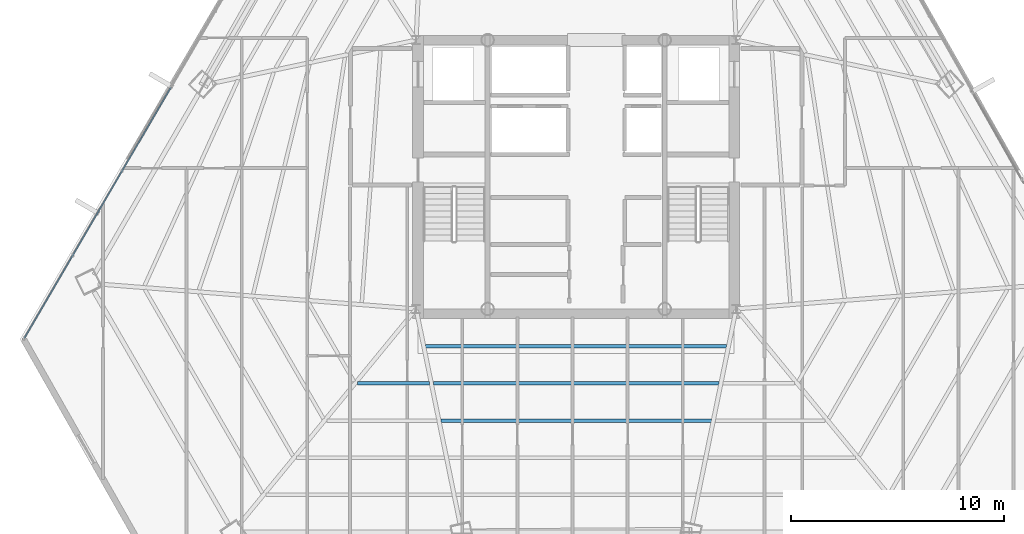
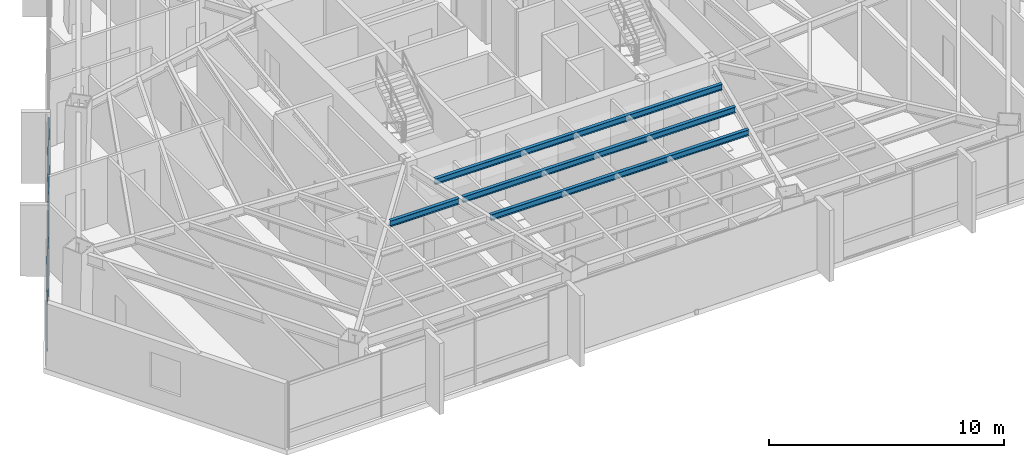
# One storey, part 11 of 42: 4 beams, 2 members, 1 element without a shape of its own.
"""IFC4 building model written with IfcOpenShell, lengths in metres."""

import ifcopenshell
import ifcopenshell.guid

model = None  # the IFC model being written
_history = None  # IfcOwnerHistory: only IFC2X3 demands one
_inside = {}  # id of a spatial element -> (the spatial element, [elements in it])
_under = {}  # id of a project, library or spatial element -> (it, [spatial elements below it])
_declared = {}  # id of a project -> (the project, [libraries it declares])
_typed = {}  # id of a type object -> (the type object, [elements of that type])
_made_of = {}  # id of a material, layer set ... -> (it, [elements and type objects made of it])


def new_model(schema):
    """Start an empty IFC model of exactly this schema.

    Asked for "IFC4X3", IfcOpenShell would pick the latest addendum, in which some entities
    have other attributes; the version numbers below select the first issue.
    IFC2X3 requires an IfcOwnerHistory on every rooted entity: one is made here for all.
    """
    global model, _history
    if schema == "IFC4X3":
        model = ifcopenshell.file(schema_version=(4, 3, 0, 0))
    else:
        model = ifcopenshell.file(schema=schema)
    _inside.clear()
    _under.clear()
    _declared.clear()
    _typed.clear()
    _made_of.clear()
    _history = None
    if model.schema == "IFC2X3":
        org = make("IfcOrganization", Name="unknown")
        user = make(
            "IfcPersonAndOrganization",
            ThePerson=make("IfcPerson", FamilyName="unknown"),
            TheOrganization=org,
        )
        app = make(
            "IfcApplication",
            ApplicationDeveloper=org,
            Version="unknown",
            ApplicationFullName="unknown",
            ApplicationIdentifier="unknown",
        )
        _history = make(
            "IfcOwnerHistory",
            OwningUser=user,
            OwningApplication=app,
            ChangeAction="ADDED",
            CreationDate=0,
        )
    return model


def make(cls, **values):
    """One entity of the class cls with the attributes given. An attribute that is None is left unset."""
    return model.create_entity(
        cls, **{name: value for name, value in values.items() if value is not None}
    )


def rooted(cls, **values):
    """An entity with a GlobalId (a new one), such as an element, a storey or a relation."""
    return make(cls, GlobalId=ifcopenshell.guid.new(), OwnerHistory=_history, **values)


def si_unit(unit_type, name, prefix=None):
    """IfcSIUnit, for example si_unit("LENGTHUNIT", "METRE", prefix="MILLI")."""
    return make("IfcSIUnit", UnitType=unit_type, Prefix=prefix, Name=name)


def assignment(units):
    """IfcUnitAssignment: the units of a project."""
    return None if units is None else make("IfcUnitAssignment", Units=units)


def point(xyz):
    """IfcCartesianPoint."""
    return None if xyz is None else make("IfcCartesianPoint", Coordinates=xyz)


def direction(xyz):
    """IfcDirection."""
    return None if xyz is None else make("IfcDirection", DirectionRatios=xyz)


def frame(location, z_axis=None, x_axis=None):
    """IfcAxis2Placement3D, a coordinate frame: its origin and axes. An axis left out is left unset."""
    return make(
        "IfcAxis2Placement3D",
        Location=point(location),
        Axis=direction(z_axis),
        RefDirection=direction(x_axis),
    )


def frame_2d(location, x_axis=None):
    """IfcAxis2Placement2D, a coordinate frame in the plane: its origin and x axis."""
    return make(
        "IfcAxis2Placement2D", Location=point(location), RefDirection=direction(x_axis)
    )


def origin():
    """The frame at (0, 0, 0) with its axes left unset."""
    return frame((0.0, 0.0, 0.0))


def origin_2d():
    """The frame at (0, 0) in the plane with its x axis left unset."""
    return frame_2d((0.0, 0.0))


def place(relative_to, where):
    """IfcLocalPlacement: puts the frame where relative to a parent placement (None: the world)."""
    return make(
        "IfcLocalPlacement", PlacementRelTo=relative_to, RelativePlacement=where
    )


def context(
    kind, dimensions, precision=None, world=None, true_north=None, identifier=None
):
    """IfcGeometricRepresentationContext, for example the 3D "Model" context."""
    return make(
        "IfcGeometricRepresentationContext",
        ContextIdentifier=identifier,
        ContextType=kind,
        CoordinateSpaceDimension=dimensions,
        Precision=precision,
        WorldCoordinateSystem=world,
        TrueNorth=true_north,
    )


def subcontext(parent, identifier, kind, view, scale=None):
    """IfcGeometricRepresentationSubContext, for example "Body" below "Model"."""
    return make(
        "IfcGeometricRepresentationSubContext",
        ContextIdentifier=identifier,
        ContextType=kind,
        ParentContext=parent,
        TargetScale=scale,
        TargetView=view,
    )


def project(units=None, contexts=None):
    """IfcProject with its units and contexts."""
    return rooted(
        "IfcProject",
        Name="project",
        RepresentationContexts=contexts,
        UnitsInContext=assignment(units),
    )


def spatial(cls, under=None, at=None, **own):
    """A site, building, storey or space (cls), placed at a placement, below another one or the project."""
    s = rooted(cls, ObjectPlacement=at, **own)
    if under is not None:
        _under.setdefault(under.id(), (under, []))[1].append(s)
    return s


def profile(cls, at=None, kind="AREA", **sizes):
    """A parametric profile (cls). Its sizes go by their IFC names, for example OverallWidth=200.0."""
    return make(cls, ProfileType=kind, Position=at, **sizes)


def hollow_rectangle(**sizes):
    """IfcRectangleHollowProfileDef."""
    return profile("IfcRectangleHollowProfileDef", **sizes)


def i_section(**sizes):
    """IfcIShapeProfileDef."""
    return profile("IfcIShapeProfileDef", **sizes)


def extrude(swept, where, along, depth):
    """IfcExtrudedAreaSolid: the profile swept, set in the frame where, extruded along a direction by depth."""
    return make(
        "IfcExtrudedAreaSolid",
        SweptArea=swept,
        Position=where,
        ExtrudedDirection=direction(along),
        Depth=depth,
    )


def shape(context_of_items, identifier, shape_type, items):
    """IfcShapeRepresentation: the items that make up one representation, for example the "Body"."""
    return make(
        "IfcShapeRepresentation",
        ContextOfItems=context_of_items,
        RepresentationIdentifier=identifier,
        RepresentationType=shape_type,
        Items=items,
    )


def source(mapping_origin, context_of_items, identifier, shape_type, items):
    """IfcRepresentationMap: a shape defined once, which mapped items show again and again."""
    return make(
        "IfcRepresentationMap",
        MappingOrigin=mapping_origin,
        MappedRepresentation=shape(context_of_items, identifier, shape_type, items),
    )


def transform(
    local_origin,
    x_axis=None,
    y_axis=None,
    z_axis=None,
    scale=None,
    scale2=None,
    scale3=None,
    uniform=True,
):
    """IfcCartesianTransformationOperator3D, or its non-uniform kind. x_axis, y_axis, z_axis: its Axis1, 2, 3."""
    if uniform:
        return make(
            "IfcCartesianTransformationOperator3D",
            Axis1=direction(x_axis),
            Axis2=direction(y_axis),
            LocalOrigin=point(local_origin),
            Scale=scale,
            Axis3=direction(z_axis),
        )
    return make(
        "IfcCartesianTransformationOperator3DnonUniform",
        Axis1=direction(x_axis),
        Axis2=direction(y_axis),
        LocalOrigin=point(local_origin),
        Scale=scale,
        Axis3=direction(z_axis),
        Scale2=scale2,
        Scale3=scale3,
    )


def mapped(mapping_source, mapping_target):
    """IfcMappedItem: shows the shape of a source again, moved by a transform."""
    return make(
        "IfcMappedItem", MappingSource=mapping_source, MappingTarget=mapping_target
    )


def material(Name=None, Category=None):
    """IfcMaterial."""
    return make("IfcMaterial", Name=Name, Category=Category)


def material_profile(
    of_material, cross_section, Name=None, Category=None, Priority=None
):
    """IfcMaterialProfile: a cross section and its material."""
    return make(
        "IfcMaterialProfile",
        Name=Name,
        Material=of_material,
        Profile=cross_section,
        Priority=Priority,
        Category=Category,
    )


def profile_set(profiles, Name=None, composite=None):
    """IfcMaterialProfileSet."""
    return make(
        "IfcMaterialProfileSet",
        Name=Name,
        MaterialProfiles=profiles,
        CompositeProfile=composite,
    )


def made_of(thing, what):
    """Note that an element or type object is made of a material, layer set ...; save() writes the relation."""
    if what is not None:
        _made_of.setdefault(what.id(), (what, []))[1].append(thing)
    return thing


def type_object(cls, material=None, **own):
    """A type object (cls), such as IfcWallType, which elements share."""
    return made_of(rooted(cls, **own), material)


def type_shapes(of_type, sources):
    """Give a type object the sources (RepresentationMaps) that its elements show as mapped items."""
    of_type.RepresentationMaps = sources


def element(
    cls,
    number,
    at=None,
    inside=None,
    cuts=None,
    type_object=None,
    material=None,
    context=None,
    identifier="Body",
    shape_type=None,
    held_by="IfcProductDefinitionShape",
    body=None,
    shapes=None,
    **own,
):
    """One element of the class cls, such as IfcWall. Its Tag is "e" and its number.

    at: its placement. inside: the storey or other place that contains it. cuts: it is an
    opening in that element (IfcRelVoidsElement). A single representation is given by context,
    identifier, shape_type and body (its items); several are given by shapes. held_by: the class
    of the entity that holds the representations. save() writes the other relations.
    """
    e = rooted(cls, Tag="e%d" % number, ObjectPlacement=at, **own)
    if body is not None:
        shapes = [shape(context, identifier, shape_type, body)]
    if shapes is not None:
        e.Representation = make(held_by, Representations=shapes)
    if inside is not None:
        _inside.setdefault(inside.id(), (inside, []))[1].append(e)
    if cuts is not None:
        rooted(
            "IfcRelVoidsElement", RelatingBuildingElement=cuts, RelatedOpeningElement=e
        )
    if type_object is not None:
        _typed.setdefault(type_object.id(), (type_object, []))[1].append(e)
    return made_of(e, material)


def aggregate(whole, parts):
    """IfcRelAggregates: a whole, such as a stair, and the parts it consists of."""
    return rooted("IfcRelAggregates", RelatingObject=whole, RelatedObjects=parts)


def save(model, path):
    """Write the relations noted so far, then the file.

    IfcRelAggregates (storeys below a building ...), IfcRelContainedInSpatialStructure (elements
    in a storey), IfcRelDefinesByType, IfcRelAssociatesMaterial and IfcRelDeclares: one each for
    every whole, place, type object, material and project.
    """
    for whole, parts in _under.values():
        aggregate(whole, parts)
    for where, things in _inside.values():
        rooted(
            "IfcRelContainedInSpatialStructure",
            RelatedElements=things,
            RelatingStructure=where,
        )
    for kind, things in _typed.values():
        rooted("IfcRelDefinesByType", RelatedObjects=things, RelatingType=kind)
    for what, things in _made_of.values():
        rooted("IfcRelAssociatesMaterial", RelatedObjects=things, RelatingMaterial=what)
    for by, libraries in _declared.values():
        rooted("IfcRelDeclares", RelatingContext=by, RelatedDefinitions=libraries)
    model.write(path)


model = new_model("IFC4")

# Units and contexts
model_context = context("Model", 3, precision=1e-05, world=origin(), true_north=direction((0.0, 1.0)))
body_context = subcontext(model_context, "Body", "Model", "MODEL_VIEW")
ifc_project = project(units=[si_unit("LENGTHUNIT", "METRE"), si_unit("AREAUNIT", "SQUARE_METRE"), si_unit("VOLUMEUNIT", "CUBIC_METRE"), si_unit("PLANEANGLEUNIT", "RADIAN"), si_unit("MASSUNIT", "GRAM", prefix="KILO")], contexts=[model_context])

# Site, building, storey
site_placement = place(None, origin())
site = spatial("IfcSite", under=ifc_project, at=site_placement, CompositionType="ELEMENT")
building_placement = place(site_placement, origin())
building = spatial("IfcBuilding", under=site, at=building_placement, Name="Caelisora Broadcast Tower", CompositionType="ELEMENT")
storey_placement = place(building_placement, frame((0.0, 0.0, 131.800048828125)))
storey = spatial("IfcBuildingStorey", under=building, at=storey_placement, Name="L34", CompositionType="ELEMENT", Elevation=131.800048828125)

# Beams
ifc_material_1 = material(Name="Steel Grade 350 (AS/NZS 3679.1)", Category="steel")
ifc_material_profile_1 = material_profile(ifc_material_1, i_section(OverallWidth=0.166015625, OverallDepth=0.30712890625, WebThickness=0.006591796875, FlangeThickness=0.01171875, at=origin_2d()), Name="Steel Grade 350 (AS/NZS 3679.1)")
ifc_profile_set_1 = profile_set([ifc_material_profile_1], Name="Steel Grade 350 (AS/NZS 3679.1)")
beam_type = type_object("IfcBeamType", Name="SB03", PredefinedType="JOIST", material=ifc_profile_set_1)
shared_shape_1 = source(origin(), body_context, "Body", "SweptSolid", [
    extrude(i_section(OverallWidth=0.166015625, OverallDepth=0.30712890625, WebThickness=0.006591796875, FlangeThickness=0.01171875, at=origin_2d()), origin(), (0.0, 0.0, 1.0), 3.359619140625),
])
beam_1_placement = place(storey_placement, frame((27.7587890625, 13.912109375, 3.246337890625), z_axis=(1.0, 0.0, 0.0), x_axis=(0.0, 1.0, 0.0)))
element("IfcBeam", 1, at=beam_1_placement, inside=storey, type_object=beam_type, Name="L34 beam SB03", PredefinedType="JOIST", context=body_context, shape_type="MappedRepresentation", body=[
    mapped(shared_shape_1, transform((0.0, 0.0, 0.0), scale=1.0)),
])
shared_shape_2 = source(origin(), body_context, "Body", "SweptSolid", [
    extrude(i_section(OverallWidth=0.166015625, OverallDepth=0.30712890625, WebThickness=0.006591796875, FlangeThickness=0.01171875, at=origin_2d()), origin(), (0.0, 0.0, 1.0), 14.09814453125),
])
beam_2_placement = place(storey_placement, frame((30.950927734375, 15.656005859375, 3.246337890625), z_axis=(1.0, 0.0, 0.0), x_axis=(0.0, 1.0, 0.0)))
element("IfcBeam", 2, at=beam_2_placement, inside=storey, type_object=beam_type, Name="L34 beam SB03", PredefinedType="JOIST", context=body_context, shape_type="MappedRepresentation", body=[
    mapped(shared_shape_2, transform((0.0, 0.0, 0.0), scale=1.0)),
])
shared_shape_3 = source(origin(), body_context, "Body", "SweptSolid", [
    extrude(i_section(OverallWidth=0.166015625, OverallDepth=0.30712890625, WebThickness=0.006591796875, FlangeThickness=0.01171875, at=origin_2d()), origin(), (0.0, 0.0, 1.0), 13.38525390625),
])
beam_3_placement = place(storey_placement, frame((31.307373046875, 13.912109375, 3.246337890625), z_axis=(1.0, 0.0, 0.0), x_axis=(0.0, 1.0, 0.0)))
element("IfcBeam", 3, at=beam_3_placement, inside=storey, type_object=beam_type, Name="L34 beam SB03", PredefinedType="JOIST", context=body_context, shape_type="MappedRepresentation", body=[
    mapped(shared_shape_3, transform((0.0, 0.0, 0.0), scale=1.0)),
])
shared_shape_4 = source(origin(), body_context, "Body", "SweptSolid", [
    extrude(i_section(OverallWidth=0.166015625, OverallDepth=0.30712890625, WebThickness=0.006591796875, FlangeThickness=0.01171875, at=origin_2d()), origin(), (0.0, 0.0, 1.0), 12.67236328125),
])
type_shapes(beam_type, [shared_shape_1, shared_shape_2, shared_shape_3, shared_shape_4])
beam_4_placement = place(storey_placement, frame((31.663818359375, 12.168212890625, 3.246337890625), z_axis=(1.0, 0.0, 0.0), x_axis=(0.0, 1.0, 0.0)))
element("IfcBeam", 4, at=beam_4_placement, inside=storey, type_object=beam_type, Name="L34 beam SB03", PredefinedType="JOIST", context=body_context, shape_type="MappedRepresentation", body=[
    mapped(shared_shape_4, transform((0.0, 0.0, 0.0), scale=1.0)),
])

# Curtain wall, members
ifc_material_2 = material(Name="Unitised Aluminium and Low-E Glass Curtain Wall", Category="glass")
curtain_wall_type = type_object("IfcCurtainWallType", Name="CW-Z3", PredefinedType="NOTDEFINED", material=ifc_material_2)
curtain_wall_placement = place(storey_placement, origin())
curtain_wall = element("IfcCurtainWall", 5, at=curtain_wall_placement, inside=storey, type_object=curtain_wall_type, Name="L34 curtain wall CW-Z3", PredefinedType="NOTDEFINED")
ifc_material_3 = material(Name="Aluminium 6063-T6 Anodised Terracotta Bronze", Category="aluminium")
ifc_material_profile_2 = material_profile(ifc_material_3, hollow_rectangle(XDim=0.06005859375, YDim=0.14990234375, WallThickness=0.00341796875, at=origin_2d()), Name="Aluminium 6063-T6 Anodised Terracotta Bronze")
ifc_profile_set_2 = profile_set([ifc_material_profile_2], Name="Aluminium 6063-T6 Anodised Terracotta Bronze")
member_type = type_object("IfcMemberType", Name="CWT-02", PredefinedType="USERDEFINED", material=ifc_profile_set_2)
shared_shape_5 = source(origin(), body_context, "Body", "SweptSolid", [
    extrude(hollow_rectangle(XDim=0.06005859375, YDim=0.14990234375, WallThickness=0.00341796875, at=origin_2d()), origin(), (0.0, 0.0, 1.0), 13.62890625),
])
type_shapes(member_type, [shared_shape_5])
member_1_placement = place(storey_placement, frame((12.13330078125, 16.01611328125, 0.849853515625), z_axis=(0.504532468969, 0.863392719309, 0.0), x_axis=(-0.863392719309, 0.504532468969, 0.0)))
member_1 = element("IfcMember", 6, at=member_1_placement, type_object=member_type, Name="L34-CW-B09 transom #1", ObjectType="TRANSOM", PredefinedType="USERDEFINED", context=body_context, shape_type="MappedRepresentation", body=[
    mapped(shared_shape_5, transform((0.0, 0.0, 0.0), scale=1.0)),
])
member_2_placement = place(storey_placement, frame((12.13330078125, 16.01611328125, 3.320068359375), z_axis=(0.504532468969, 0.863392719309, 0.0), x_axis=(-0.863392719309, 0.504532468969, 0.0)))
member_2 = element("IfcMember", 7, at=member_2_placement, type_object=member_type, Name="L34-CW-B09 transom #2", ObjectType="TRANSOM", PredefinedType="USERDEFINED", context=body_context, shape_type="MappedRepresentation", body=[
    mapped(shared_shape_5, transform((0.0, 0.0, 0.0), scale=1.0)),
])
aggregate(curtain_wall, [member_1, member_2])

save(model, "model.ifc")
